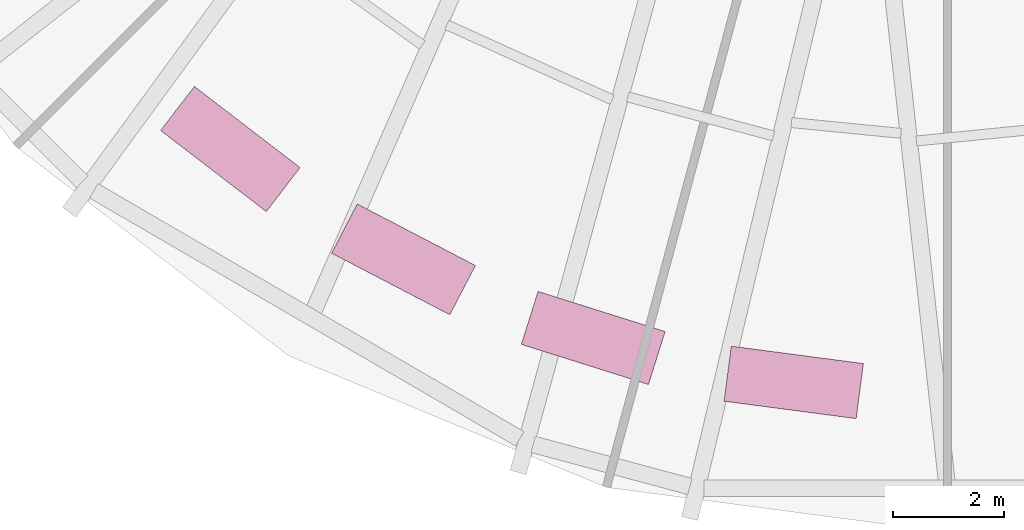
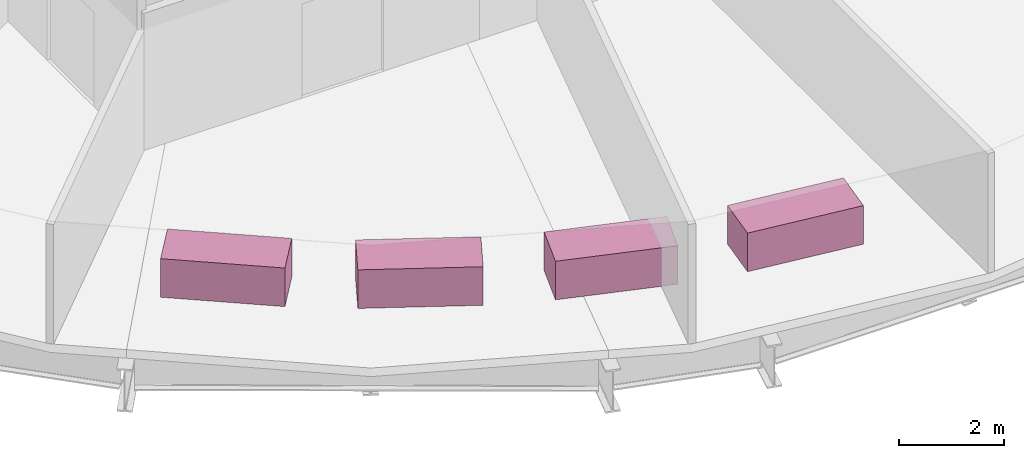
# One storey, part 7 of 7: 4 furniture elements.
"""IFC4 building model written with IfcOpenShell, lengths in metres."""

from ifc_helpers import new_model, si_unit, direction, frame, origin, origin_2d, place, context, subcontext, project, spatial, rectangle, extrude, element, save


model = new_model("IFC4")

# Units and contexts
model_context = context("Model", 3, precision=1e-05, world=origin(), true_north=direction((0.0, 1.0)))
body_context = subcontext(model_context, "Body", "Model", "MODEL_VIEW")
ifc_project = project(units=[si_unit("LENGTHUNIT", "METRE"), si_unit("AREAUNIT", "SQUARE_METRE"), si_unit("VOLUMEUNIT", "CUBIC_METRE"), si_unit("PLANEANGLEUNIT", "RADIAN"), si_unit("MASSUNIT", "GRAM", prefix="KILO")], contexts=[model_context])

# Site, building, storey
site_placement = place(None, origin())
site = spatial("IfcSite", under=ifc_project, at=site_placement, CompositionType="ELEMENT")
building_placement = place(site_placement, origin())
building = spatial("IfcBuilding", under=site, at=building_placement, Name="Golbaran Civic Tower", CompositionType="ELEMENT")
storey_placement = place(building_placement, frame((0.0, 0.0, 195.0)))
storey = spatial("IfcBuildingStorey", under=building, at=storey_placement, Name="L47", CompositionType="ELEMENT", Elevation=195.0)

# Furniture
for number, where, z_axis, x_axis, name in (
    (1, (-12.9130859375, -16.82861328125, 0.0), (0.0, 0.0, 1.0), (0.793353340291, -0.608761429009, 0.0), "Sky garden planter L47-1"),
    (2, (-9.794677734375, -18.815185546875, 0.0), (0.0, 0.0, 1.0), (0.887010833178, -0.461748613235, 0.0), "Sky garden planter L47-2"),
    (3, (-6.378662109375, -20.230224609375, 0.0), (0.0, 0.0, 1.0), (0.953716950748, -0.300705799504, 0.0), "Sky garden planter L47-3"),
    (4, (-2.768798828125, -21.030517578125, 0.0), (0.0, 0.0, 1.0), (0.991444861374, -0.13052619222, 0.0), "Sky garden planter L47-4"),
):
    element("IfcFurniture", number, at=place(storey_placement, frame(where, z_axis=z_axis, x_axis=x_axis)), inside=storey, Name=name, ObjectType="PLANTER", PredefinedType="USERDEFINED", context=body_context, shape_type="SweptSolid", body=[
        extrude(rectangle(XDim=2.39990234375, YDim=1.0, at=origin_2d()), origin(), (0.0, 0.0, 1.0), 0.89990234375),
    ])

save(model, "model.ifc")
